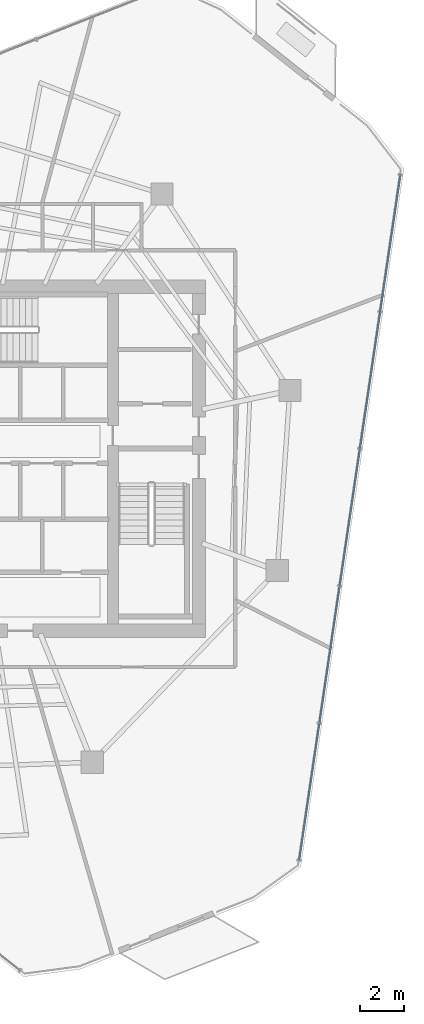
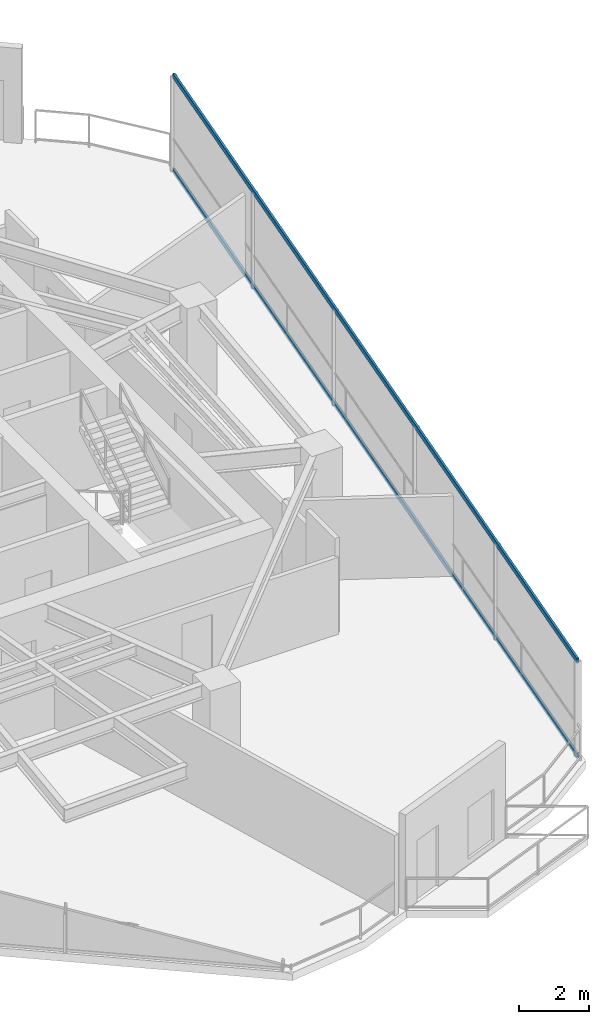
# One storey, part 9 of 20: 2 members, 1 element without a shape of its own.
"""IFC4 building model written with IfcOpenShell, lengths in metres."""

import ifcopenshell
import ifcopenshell.guid

model = None  # the IFC model being written
_history = None  # IfcOwnerHistory: only IFC2X3 demands one
_inside = {}  # id of a spatial element -> (the spatial element, [elements in it])
_under = {}  # id of a project, library or spatial element -> (it, [spatial elements below it])
_declared = {}  # id of a project -> (the project, [libraries it declares])
_typed = {}  # id of a type object -> (the type object, [elements of that type])
_made_of = {}  # id of a material, layer set ... -> (it, [elements and type objects made of it])


def new_model(schema):
    """Start an empty IFC model of exactly this schema.

    Asked for "IFC4X3", IfcOpenShell would pick the latest addendum, in which some entities
    have other attributes; the version numbers below select the first issue.
    IFC2X3 requires an IfcOwnerHistory on every rooted entity: one is made here for all.
    """
    global model, _history
    if schema == "IFC4X3":
        model = ifcopenshell.file(schema_version=(4, 3, 0, 0))
    else:
        model = ifcopenshell.file(schema=schema)
    _inside.clear()
    _under.clear()
    _declared.clear()
    _typed.clear()
    _made_of.clear()
    _history = None
    if model.schema == "IFC2X3":
        org = make("IfcOrganization", Name="unknown")
        user = make(
            "IfcPersonAndOrganization",
            ThePerson=make("IfcPerson", FamilyName="unknown"),
            TheOrganization=org,
        )
        app = make(
            "IfcApplication",
            ApplicationDeveloper=org,
            Version="unknown",
            ApplicationFullName="unknown",
            ApplicationIdentifier="unknown",
        )
        _history = make(
            "IfcOwnerHistory",
            OwningUser=user,
            OwningApplication=app,
            ChangeAction="ADDED",
            CreationDate=0,
        )
    return model


def make(cls, **values):
    """One entity of the class cls with the attributes given. An attribute that is None is left unset."""
    return model.create_entity(
        cls, **{name: value for name, value in values.items() if value is not None}
    )


def rooted(cls, **values):
    """An entity with a GlobalId (a new one), such as an element, a storey or a relation."""
    return make(cls, GlobalId=ifcopenshell.guid.new(), OwnerHistory=_history, **values)


def si_unit(unit_type, name, prefix=None):
    """IfcSIUnit, for example si_unit("LENGTHUNIT", "METRE", prefix="MILLI")."""
    return make("IfcSIUnit", UnitType=unit_type, Prefix=prefix, Name=name)


def assignment(units):
    """IfcUnitAssignment: the units of a project."""
    return None if units is None else make("IfcUnitAssignment", Units=units)


def point(xyz):
    """IfcCartesianPoint."""
    return None if xyz is None else make("IfcCartesianPoint", Coordinates=xyz)


def direction(xyz):
    """IfcDirection."""
    return None if xyz is None else make("IfcDirection", DirectionRatios=xyz)


def frame(location, z_axis=None, x_axis=None):
    """IfcAxis2Placement3D, a coordinate frame: its origin and axes. An axis left out is left unset."""
    return make(
        "IfcAxis2Placement3D",
        Location=point(location),
        Axis=direction(z_axis),
        RefDirection=direction(x_axis),
    )


def frame_2d(location, x_axis=None):
    """IfcAxis2Placement2D, a coordinate frame in the plane: its origin and x axis."""
    return make(
        "IfcAxis2Placement2D", Location=point(location), RefDirection=direction(x_axis)
    )


def origin():
    """The frame at (0, 0, 0) with its axes left unset."""
    return frame((0.0, 0.0, 0.0))


def origin_2d():
    """The frame at (0, 0) in the plane with its x axis left unset."""
    return frame_2d((0.0, 0.0))


def place(relative_to, where):
    """IfcLocalPlacement: puts the frame where relative to a parent placement (None: the world)."""
    return make(
        "IfcLocalPlacement", PlacementRelTo=relative_to, RelativePlacement=where
    )


def context(
    kind, dimensions, precision=None, world=None, true_north=None, identifier=None
):
    """IfcGeometricRepresentationContext, for example the 3D "Model" context."""
    return make(
        "IfcGeometricRepresentationContext",
        ContextIdentifier=identifier,
        ContextType=kind,
        CoordinateSpaceDimension=dimensions,
        Precision=precision,
        WorldCoordinateSystem=world,
        TrueNorth=true_north,
    )


def subcontext(parent, identifier, kind, view, scale=None):
    """IfcGeometricRepresentationSubContext, for example "Body" below "Model"."""
    return make(
        "IfcGeometricRepresentationSubContext",
        ContextIdentifier=identifier,
        ContextType=kind,
        ParentContext=parent,
        TargetScale=scale,
        TargetView=view,
    )


def project(units=None, contexts=None):
    """IfcProject with its units and contexts."""
    return rooted(
        "IfcProject",
        Name="project",
        RepresentationContexts=contexts,
        UnitsInContext=assignment(units),
    )


def spatial(cls, under=None, at=None, **own):
    """A site, building, storey or space (cls), placed at a placement, below another one or the project."""
    s = rooted(cls, ObjectPlacement=at, **own)
    if under is not None:
        _under.setdefault(under.id(), (under, []))[1].append(s)
    return s


def profile(cls, at=None, kind="AREA", **sizes):
    """A parametric profile (cls). Its sizes go by their IFC names, for example OverallWidth=200.0."""
    return make(cls, ProfileType=kind, Position=at, **sizes)


def hollow_rectangle(**sizes):
    """IfcRectangleHollowProfileDef."""
    return profile("IfcRectangleHollowProfileDef", **sizes)


def extrude(swept, where, along, depth):
    """IfcExtrudedAreaSolid: the profile swept, set in the frame where, extruded along a direction by depth."""
    return make(
        "IfcExtrudedAreaSolid",
        SweptArea=swept,
        Position=where,
        ExtrudedDirection=direction(along),
        Depth=depth,
    )


def shape(context_of_items, identifier, shape_type, items):
    """IfcShapeRepresentation: the items that make up one representation, for example the "Body"."""
    return make(
        "IfcShapeRepresentation",
        ContextOfItems=context_of_items,
        RepresentationIdentifier=identifier,
        RepresentationType=shape_type,
        Items=items,
    )


def material(Name=None, Category=None):
    """IfcMaterial."""
    return make("IfcMaterial", Name=Name, Category=Category)


def layer(
    of_material, thickness, ventilated=None, Name=None, Category=None, Priority=None
):
    """IfcMaterialLayer: one layer of a wall or slab, of a material (None: an air gap)."""
    return make(
        "IfcMaterialLayer",
        Material=of_material,
        LayerThickness=thickness,
        IsVentilated=ventilated,
        Name=Name,
        Category=Category,
        Priority=Priority,
    )


def layer_set(layers, Name=None):
    """IfcMaterialLayerSet."""
    return make("IfcMaterialLayerSet", MaterialLayers=layers, LayerSetName=Name)


def material_profile(
    of_material, cross_section, Name=None, Category=None, Priority=None
):
    """IfcMaterialProfile: a cross section and its material."""
    return make(
        "IfcMaterialProfile",
        Name=Name,
        Material=of_material,
        Profile=cross_section,
        Priority=Priority,
        Category=Category,
    )


def profile_set(profiles, Name=None, composite=None):
    """IfcMaterialProfileSet."""
    return make(
        "IfcMaterialProfileSet",
        Name=Name,
        MaterialProfiles=profiles,
        CompositeProfile=composite,
    )


def made_of(thing, what):
    """Note that an element or type object is made of a material, layer set ...; save() writes the relation."""
    if what is not None:
        _made_of.setdefault(what.id(), (what, []))[1].append(thing)
    return thing


def type_object(cls, material=None, **own):
    """A type object (cls), such as IfcWallType, which elements share."""
    return made_of(rooted(cls, **own), material)


def element(
    cls,
    number,
    at=None,
    inside=None,
    cuts=None,
    type_object=None,
    material=None,
    context=None,
    identifier="Body",
    shape_type=None,
    held_by="IfcProductDefinitionShape",
    body=None,
    shapes=None,
    **own,
):
    """One element of the class cls, such as IfcWall. Its Tag is "e" and its number.

    at: its placement. inside: the storey or other place that contains it. cuts: it is an
    opening in that element (IfcRelVoidsElement). A single representation is given by context,
    identifier, shape_type and body (its items); several are given by shapes. held_by: the class
    of the entity that holds the representations. save() writes the other relations.
    """
    e = rooted(cls, Tag="e%d" % number, ObjectPlacement=at, **own)
    if body is not None:
        shapes = [shape(context, identifier, shape_type, body)]
    if shapes is not None:
        e.Representation = make(held_by, Representations=shapes)
    if inside is not None:
        _inside.setdefault(inside.id(), (inside, []))[1].append(e)
    if cuts is not None:
        rooted(
            "IfcRelVoidsElement", RelatingBuildingElement=cuts, RelatedOpeningElement=e
        )
    if type_object is not None:
        _typed.setdefault(type_object.id(), (type_object, []))[1].append(e)
    return made_of(e, material)


def aggregate(whole, parts):
    """IfcRelAggregates: a whole, such as a stair, and the parts it consists of."""
    return rooted("IfcRelAggregates", RelatingObject=whole, RelatedObjects=parts)


def save(model, path):
    """Write the relations noted so far, then the file.

    IfcRelAggregates (storeys below a building ...), IfcRelContainedInSpatialStructure (elements
    in a storey), IfcRelDefinesByType, IfcRelAssociatesMaterial and IfcRelDeclares: one each for
    every whole, place, type object, material and project.
    """
    for whole, parts in _under.values():
        aggregate(whole, parts)
    for where, things in _inside.values():
        rooted(
            "IfcRelContainedInSpatialStructure",
            RelatedElements=things,
            RelatingStructure=where,
        )
    for kind, things in _typed.values():
        rooted("IfcRelDefinesByType", RelatedObjects=things, RelatingType=kind)
    for what, things in _made_of.values():
        rooted("IfcRelAssociatesMaterial", RelatedObjects=things, RelatingMaterial=what)
    for by, libraries in _declared.values():
        rooted("IfcRelDeclares", RelatingContext=by, RelatedDefinitions=libraries)
    model.write(path)


model = new_model("IFC4")

# Units and contexts
model_context = context("Model", 3, precision=1e-05, world=origin(), true_north=direction((0.0, 1.0)))
body_context = subcontext(model_context, "Body", "Model", "MODEL_VIEW")
ifc_project = project(units=[si_unit("LENGTHUNIT", "METRE"), si_unit("AREAUNIT", "SQUARE_METRE"), si_unit("VOLUMEUNIT", "CUBIC_METRE"), si_unit("PLANEANGLEUNIT", "RADIAN"), si_unit("MASSUNIT", "GRAM", prefix="KILO")], contexts=[model_context])

# Site, building, storey
site_placement = place(None, origin())
site = spatial("IfcSite", under=ifc_project, at=site_placement, CompositionType="ELEMENT")
building_placement = place(site_placement, origin())
building = spatial("IfcBuilding", under=site, at=building_placement, Name="Qarnah Convention Tower", CompositionType="ELEMENT")
storey_placement = place(building_placement, frame((0.0, 0.0, 147.300048828125)))
storey = spatial("IfcBuildingStorey", under=building, at=storey_placement, Name="L39", CompositionType="ELEMENT", Elevation=147.300048828125)

# Curtain wall, members
ifc_material_1 = material(Name="Tempered Low-E dark glass", Category="glass")
ifc_layer = layer(ifc_material_1, 0.172119140625)
ifc_layer_set = layer_set([ifc_layer], Name="Tempered Low-E dark glass")
curtain_wall_type = type_object("IfcCurtainWallType", Name="CWS-03", PredefinedType="NOTDEFINED", material=ifc_layer_set)
curtain_wall_placement = place(storey_placement, origin())
curtain_wall = element("IfcCurtainWall", 1, at=curtain_wall_placement, inside=storey, type_object=curtain_wall_type, Name="L39 unitised curtain wall CW-L39-F1", PredefinedType="NOTDEFINED")
ifc_material_2 = material(Name="Black anodised aluminium", Category="aluminium")
ifc_material_profile = material_profile(ifc_material_2, hollow_rectangle(XDim=0.070068359375, YDim=0.169921875, WallThickness=0.0048828125, at=origin_2d()), Name="TRN-70X170")
ifc_profile_set = profile_set([ifc_material_profile], Name="Black anodised aluminium")
member_type = type_object("IfcMemberType", Name="TRN-T3", PredefinedType="USERDEFINED", material=ifc_profile_set)
member_1_placement = place(storey_placement, frame((56.739990234375, 39.281005859375, 0.0), z_axis=(-0.146081019868, -0.989272629579, 0.0), x_axis=(0.989272629579, -0.146081019868, 0.0)))
member_1 = element("IfcMember", 2, at=member_1_placement, type_object=member_type, Name="CW-L39-F1 transom 1", ObjectType="TRANSOM", PredefinedType="USERDEFINED", context=body_context, shape_type="SweptSolid", body=[
    extrude(hollow_rectangle(XDim=0.070068359375, YDim=0.169921875, WallThickness=0.0048828125, at=origin_2d()), origin(), (0.0, 0.0, 1.0), 31.42822265625),
])
member_2_placement = place(storey_placement, frame((56.739990234375, 39.281005859375, 3.320068359375), z_axis=(-0.146081019868, -0.989272629579, 0.0), x_axis=(0.989272629579, -0.146081019868, 0.0)))
member_2 = element("IfcMember", 3, at=member_2_placement, type_object=member_type, Name="CW-L39-F1 transom 2", ObjectType="TRANSOM", PredefinedType="USERDEFINED", context=body_context, shape_type="SweptSolid", body=[
    extrude(hollow_rectangle(XDim=0.070068359375, YDim=0.169921875, WallThickness=0.0048828125, at=origin_2d()), origin(), (0.0, 0.0, 1.0), 31.42822265625),
])
aggregate(curtain_wall, [member_1, member_2])

save(model, "model.ifc")
